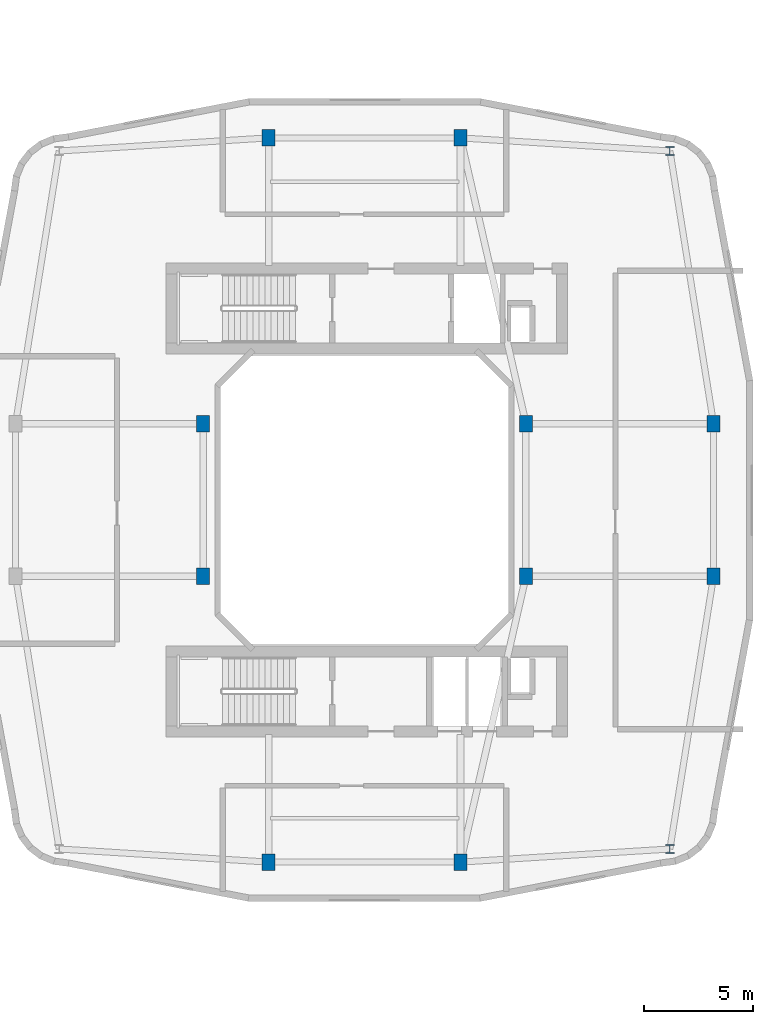
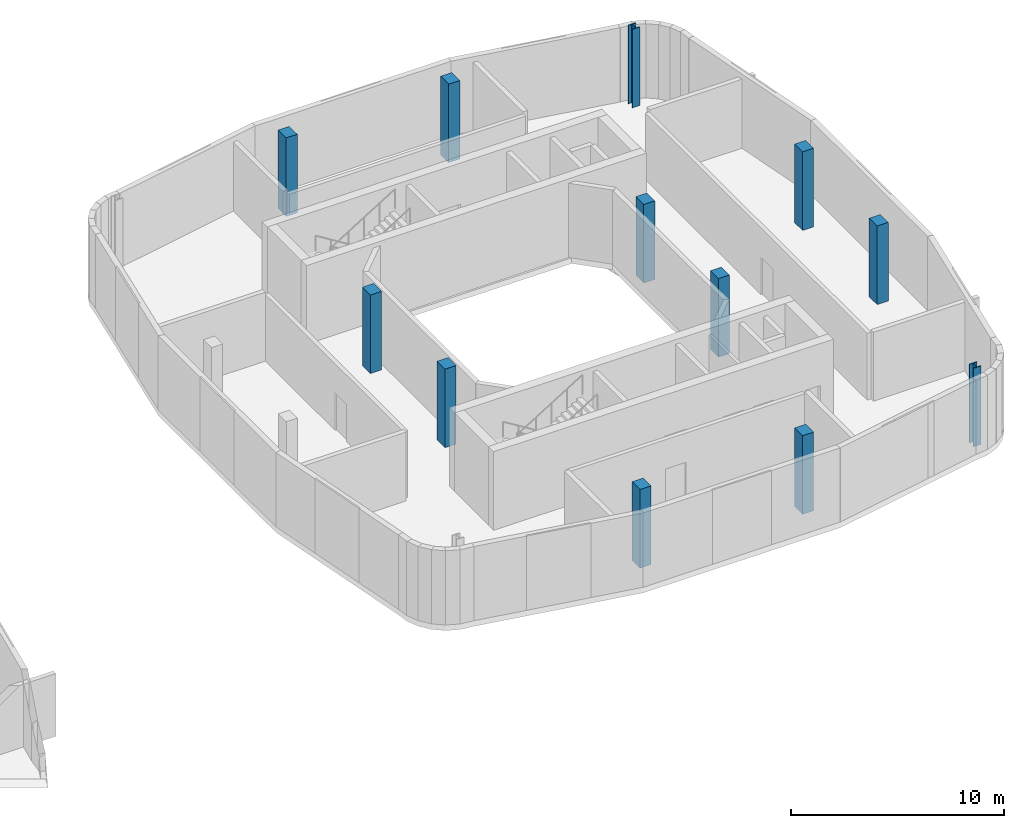
# One storey, part 2 of 18: 12 columns.
"""IFC4 building model written with IfcOpenShell, lengths in metres."""

from ifc_helpers import new_model, si_unit, derived_unit, direction, frame, origin, origin_2d, place, context, subcontext, project, spatial, rectangle, i_section, extrude, material, material_profile, profile_set, type_object, element, save


model = new_model("IFC4")

# Units and contexts
model_context = context("Model", 3, precision=1e-05, world=origin(), true_north=direction((0.0, 1.0)))
body_context = subcontext(model_context, "Body", "Model", "MODEL_VIEW")
ifc_project = project(units=[si_unit("LENGTHUNIT", "METRE"), si_unit("AREAUNIT", "SQUARE_METRE"), si_unit("VOLUMEUNIT", "CUBIC_METRE"), si_unit("PLANEANGLEUNIT", "RADIAN"), si_unit("MASSUNIT", "GRAM", prefix="KILO"), derived_unit("THERMALTRANSMITTANCEUNIT", [(si_unit("POWERUNIT", "WATT"), 1), (si_unit("LENGTHUNIT", "METRE"), -2), (si_unit("THERMODYNAMICTEMPERATUREUNIT", "KELVIN"), -1)])], contexts=[model_context])

# Site, building, storey
site_placement = place(None, origin())
site = spatial("IfcSite", under=ifc_project, at=site_placement, CompositionType="ELEMENT")
building_placement = place(site_placement, origin())
building = spatial("IfcBuilding", under=site, at=building_placement, Name="Kivonza Crest Hotel", CompositionType="ELEMENT")
storey_placement = place(building_placement, frame((0.0, 0.0, 90.5)))
storey = spatial("IfcBuildingStorey", under=building, at=storey_placement, Name="L24", CompositionType="ELEMENT", Elevation=90.5)

# Columns
ifc_material_1 = material(Name="Concrete C50/60", Category="concrete")
ifc_material_profile_1 = material_profile(ifc_material_1, rectangle(XDim=0.60009765625, YDim=0.75, at=origin_2d()), Name="RC 750x600")
ifc_profile_set_1 = profile_set([ifc_material_profile_1], Name="Concrete C50/60")
column_type_1 = type_object("IfcColumnType", Name="CL-RC-750x600", PredefinedType="COLUMN", material=ifc_profile_set_1)
for number, where, z_axis, x_axis, name in (
    (1, (72.60009765625, 8.39990234375, 0.0), (0.0, 0.0, 1.0), (1.0, 0.0, 0.0), "Companion Tower T2 L24 column S1"),
    (2, (81.39990234375, 8.39990234375, 0.0), (0.0, 0.0, 1.0), (1.0, 0.0, 0.0), "Companion Tower T2 L24 column S2"),
    (3, (72.60009765625, 41.60009765625, 0.0), (0.0, 0.0, 1.0), (1.0, 0.0, 0.0), "Companion Tower T2 L24 column N1"),
    (4, (81.39990234375, 41.60009765625, 0.0), (0.0, 0.0, 1.0), (1.0, 0.0, 0.0), "Companion Tower T2 L24 column N2"),
    (5, (93.0, 21.5, 0.0), (0.0, 0.0, 1.0), (1.0, 0.0, 0.0), "Companion Tower T2 L24 column E1"),
    (6, (93.0, 28.5, 0.0), (0.0, 0.0, 1.0), (1.0, 0.0, 0.0), "Companion Tower T2 L24 column E2"),
    (7, (69.60009765625, 21.5, 0.0), (0.0, 0.0, 1.0), (1.0, 0.0, 0.0), "Companion Tower T2 L24 column WL1"),
    (8, (69.60009765625, 28.5, 0.0), (0.0, 0.0, 1.0), (1.0, 0.0, 0.0), "Companion Tower T2 L24 column WL2"),
    (9, (84.39990234375, 21.5, 0.0), (0.0, 0.0, 1.0), (1.0, 0.0, 0.0), "Companion Tower T2 L24 column WR1"),
    (10, (84.39990234375, 28.5, 0.0), (0.0, 0.0, 1.0), (1.0, 0.0, 0.0), "Companion Tower T2 L24 column WR2"),
):
    element("IfcColumn", number, at=place(storey_placement, frame(where, z_axis=z_axis, x_axis=x_axis)), inside=storey, type_object=column_type_1, Name=name, PredefinedType="COLUMN", context=body_context, shape_type="SweptSolid", body=[
        extrude(rectangle(XDim=0.60009765625, YDim=0.75, at=origin_2d()), origin(), (0.0, 0.0, 1.0), 4.5),
    ])
ifc_material_2 = material(Name="Steel S355", Category="steel")
ifc_material_profile_2 = material_profile(ifc_material_2, i_section(OverallWidth=0.406005859375, OverallDepth=0.416015625, WebThickness=0.02392578125, FlangeThickness=0.0390625, FilletRadius=0.014892578125, at=origin_2d()), Name="HD 400x382")
ifc_profile_set_2 = profile_set([ifc_material_profile_2], Name="Steel S355")
column_type_2 = type_object("IfcColumnType", Name="CL-ST-HD400", PredefinedType="COLUMN", material=ifc_profile_set_2)
for number, where, z_axis, x_axis, name in (
    (11, (91.0, 9.0, 0.0), (0.0, 0.0, 1.0), (1.0, 0.0, 0.0), "Companion Tower T2 L24 column SE"),
    (12, (91.0, 41.0, 0.0), (0.0, 0.0, 1.0), (1.0, 0.0, 0.0), "Companion Tower T2 L24 column NE"),
):
    element("IfcColumn", number, at=place(storey_placement, frame(where, z_axis=z_axis, x_axis=x_axis)), inside=storey, type_object=column_type_2, Name=name, PredefinedType="COLUMN", context=body_context, shape_type="SweptSolid", body=[
        extrude(i_section(OverallWidth=0.406005859375, OverallDepth=0.416015625, WebThickness=0.02392578125, FlangeThickness=0.0390625, FilletRadius=0.014892578125, at=origin_2d()), origin(), (0.0, 0.0, 1.0), 4.5),
    ])

save(model, "model.ifc")
